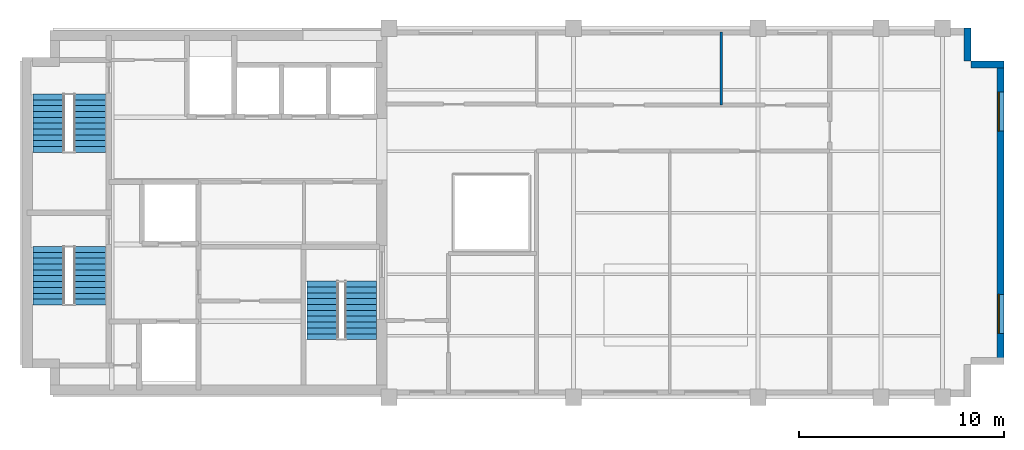
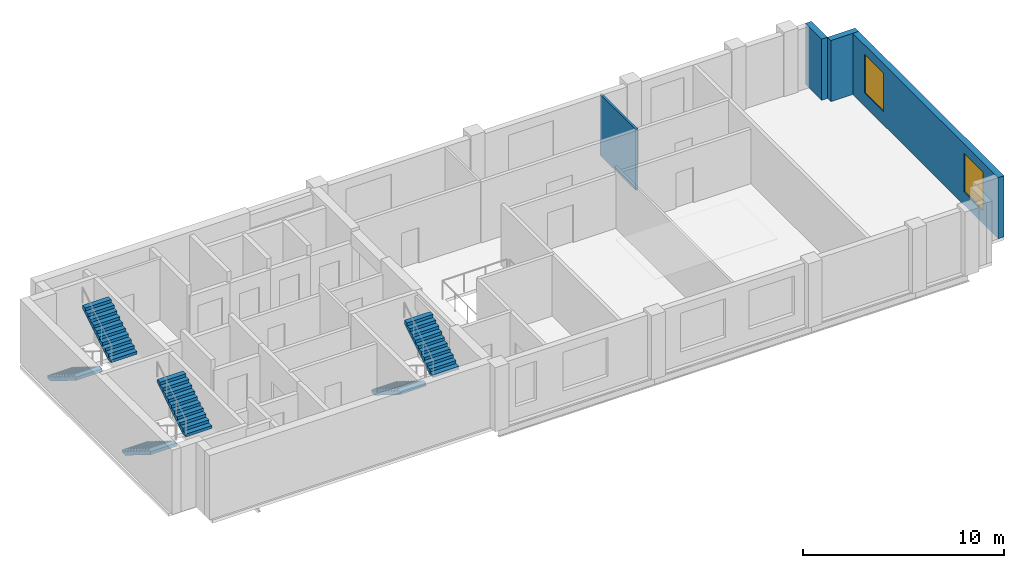
# One storey, part 4 of 5: 6 stair flights, 4 walls, 2 windows, 2 openings, 3 elements without a shape of their own.
"""IFC4 building model written with IfcOpenShell, lengths in metres."""

from ifc_helpers import new_model, si_unit, direction, frame, frame_2d, origin, place, context, subcontext, project, spatial, polyline, rectangle, outline, extrude, material, layer, layer_set, type_object, element, fill, aggregate, save


model = new_model("IFC4")

# Units and contexts
model_context = context("Model", 3, precision=1e-05, world=origin(), true_north=direction((0.0, 1.0)))
body_context = subcontext(model_context, "Body", "Model", "MODEL_VIEW")
ifc_project = project(units=[si_unit("LENGTHUNIT", "METRE"), si_unit("AREAUNIT", "SQUARE_METRE"), si_unit("VOLUMEUNIT", "CUBIC_METRE"), si_unit("PLANEANGLEUNIT", "RADIAN"), si_unit("MASSUNIT", "GRAM", prefix="KILO")], contexts=[model_context])

# Site, building, storey
site_placement = place(None, origin())
site = spatial("IfcSite", under=ifc_project, at=site_placement, CompositionType="ELEMENT")
building_placement = place(site_placement, origin())
building = spatial("IfcBuilding", under=site, at=building_placement, Name="Mawjdan Bourse Tower", CompositionType="ELEMENT")
storey_placement = place(building_placement, frame((0.0, 0.0, 274.199951171875)))
storey = spatial("IfcBuildingStorey", under=building, at=storey_placement, Name="L67", CompositionType="ELEMENT", Elevation=274.199951171875)

# Wall, openings, windows
ifc_material_1 = material(Name="Brick Masonry Buff", Category="masonry")
ifc_layer_1 = layer(ifc_material_1, 0.340087890625)
ifc_layer_set_1 = layer_set([ifc_layer_1], Name="Brick Masonry Buff")
wall_type_1 = type_object("IfcWallType", Name="WL-BRK-SPN-340", PredefinedType="STANDARD", material=ifc_layer_set_1)
wall_1_placement = place(storey_placement, frame((53.830078125, 4.60009765625, 0.0), z_axis=(0.0, 0.0, 1.0), x_axis=(0.0, 1.0, 0.0)))
wall_1 = element("IfcWall", 1, at=wall_1_placement, inside=storey, type_object=wall_type_1, Name="L67 Exterior Brick Wall 4", PredefinedType="STANDARD", context=body_context, shape_type="SweptSolid", body=[
    extrude(rectangle(XDim=14.7998046875, YDim=0.340087890625, at=frame_2d((7.39990234375, 0.0))), origin(), (0.0, 0.0, 1.0), 3.715087890625),
])
opening_1_placement = place(wall_1_placement, frame((1.5166015625, 0.0, 0.800048828125)))
opening_1 = element("IfcOpeningElement", 2, at=opening_1_placement, cuts=wall_1, Name="Opening W-L67-02", PredefinedType="OPENING", context=body_context, shape_type="SweptSolid", body=[
    extrude(rectangle(XDim=1.89990234375, YDim=2.35009765625, at=frame_2d((0.949951171875, 1.175048828125))), frame((0.0, 0.18017578125, 0.0), z_axis=(0.0, -1.0, 0.0), x_axis=(1.0, 0.0, 0.0)), (0.0, 0.0, 1.0), 0.360107421875),
])
opening_2_placement = place(wall_1_placement, frame((11.38330078125, 0.0, 0.800048828125)))
opening_2 = element("IfcOpeningElement", 3, at=opening_2_placement, cuts=wall_1, Name="Opening W-L67-03", PredefinedType="OPENING", context=body_context, shape_type="SweptSolid", body=[
    extrude(rectangle(XDim=1.89990234375, YDim=2.35009765625, at=frame_2d((0.949951171875, 1.175048828125))), frame((0.0, 0.18017578125, 0.0), z_axis=(0.0, -1.0, 0.0), x_axis=(1.0, 0.0, 0.0)), (0.0, 0.0, 1.0), 0.360107421875),
])
ifc_material_2 = material(Name="Solar-Control Clear Double Glazing", Category="glass")
window_type = type_object("IfcWindowType", Name="WN-SMT-1900", PartitioningType="SINGLE_PANEL", PredefinedType="WINDOW", material=ifc_material_2)
window_1_placement = place(opening_1_placement, origin())
window_1 = element("IfcWindow", 4, at=window_1_placement, inside=storey, type_object=window_type, Name="L67 Deep-Set Masonry Window W-L67-02", OverallHeight=2.35009765625, OverallWidth=1.89990234375, PartitioningType="SINGLE_PANEL", PredefinedType="WINDOW", context=body_context, shape_type="SweptSolid", body=[
    extrude(rectangle(XDim=1.89990234375, YDim=2.35009765625, at=frame_2d((0.949951171875, 1.175048828125))), frame((0.0, 0.110107421875, 0.0), z_axis=(0.0, -1.0, 0.0), x_axis=(1.0, 0.0, 0.0)), (0.0, 0.0, 1.0), 0.06005859375),
])
fill(opening_1, window_1)
window_2_placement = place(opening_2_placement, origin())
window_2 = element("IfcWindow", 5, at=window_2_placement, inside=storey, type_object=window_type, Name="L67 Deep-Set Masonry Window W-L67-03", OverallHeight=2.35009765625, OverallWidth=1.89990234375, PartitioningType="SINGLE_PANEL", PredefinedType="WINDOW", context=body_context, shape_type="SweptSolid", body=[
    extrude(rectangle(XDim=1.89990234375, YDim=2.35009765625, at=frame_2d((0.949951171875, 1.175048828125))), frame((0.0, 0.110107421875, 0.0), z_axis=(0.0, -1.0, 0.0), x_axis=(1.0, 0.0, 0.0)), (0.0, 0.0, 1.0), 0.06005859375),
])
fill(opening_2, window_2)

# Walls
for number, where, z_axis, x_axis, name in (
    (6, (54.0, 19.22998046875, 0.0), (0.0, 0.0, 1.0), (-1.0, 0.0, 0.0), "L67 Exterior Brick Wall 5"),
    (7, (52.22998046875, 19.39990234375, 0.0), (0.0, 0.0, 1.0), (0.0, 1.0, 0.0), "L67 Exterior Brick Wall 6"),
):
    element("IfcWall", number, at=place(storey_placement, frame(where, z_axis=z_axis, x_axis=x_axis)), inside=storey, type_object=wall_type_1, Name=name, PredefinedType="STANDARD", context=body_context, shape_type="SweptSolid", body=[
        extrude(rectangle(XDim=1.60009765625, YDim=0.340087890625, at=frame_2d((0.800048828125, 0.0))), origin(), (0.0, 0.0, 1.0), 3.715087890625),
    ])
ifc_material_3 = material(Name="Gypsum Partition")
ifc_layer_2 = layer(ifc_material_3, 0.125)
ifc_layer_set_2 = layer_set([ifc_layer_2], Name="Gypsum Partition")
wall_type_2 = type_object("IfcWallType", Name="WL-PRT-125", PredefinedType="PARTITIONING", material=ifc_layer_set_2)
wall_2_placement = place(storey_placement, frame((40.199951171875, 17.25, 0.0), z_axis=(0.0, 0.0, 1.0), x_axis=(0.0, 1.0, 0.0)))
element("IfcWall", 8, at=wall_2_placement, inside=storey, type_object=wall_type_2, Name="L67 General Counsel Office Partition", PredefinedType="PARTITIONING", context=body_context, shape_type="SweptSolid", body=[
    extrude(rectangle(XDim=3.570068359375, YDim=0.125, at=frame_2d((1.78515625, 0.0))), origin(), (0.0, 0.0, 1.0), 3.705078125),
])

# Stair, stair flights
ifc_material_4 = material(Name="Concrete C50/60", Category="concrete")
stair_type = type_object("IfcStairType", Name="STR-CORE-1500", PredefinedType="HALF_TURN_STAIR", material=ifc_material_4)
stair_1_placement = place(storey_placement, origin())
stair_1 = element("IfcStair", 9, at=stair_1_placement, inside=storey, type_object=stair_type, Name="L67 Exit Stair 1 (Core South-West)", PredefinedType="HALF_TURN_STAIR")
stair_flight_type = type_object("IfcStairFlightType", Name="SFL-RC-1500", PredefinedType="STRAIGHT", material=ifc_material_4)
stair_flight_1_placement = place(storey_placement, frame((7.389892578125, 10.35009765625, 0.0), z_axis=(0.0, 0.0, 1.0), x_axis=(0.0, -1.0, 0.0)))
stair_flight_1 = element("IfcStairFlight", 10, at=stair_flight_1_placement, type_object=stair_flight_type, Name="ST1-L67 flight 1", NumberOfRisers=11, NumberOfTreads=10, PredefinedType="STRAIGHT", RiserHeight=0.177273, TreadLength=0.285, context=body_context, shape_type="SweptSolid", body=[
    extrude(outline(polyline([(0.0, 0.0), (0.0, 0.17724609375), (0.284912109375, 0.17724609375), (0.284912109375, 0.3544921875), (0.570068359375, 0.3544921875), (0.570068359375, 0.53173828125), (0.85498046875, 0.53173828125), (0.85498046875, 0.708984375), (1.139892578125, 0.708984375), (1.139892578125, 0.886474609375), (1.425048828125, 0.886474609375), (1.425048828125, 1.063720703125), (1.7099609375, 1.063720703125), (1.7099609375, 1.240966796875), (1.9951171875, 1.240966796875), (1.9951171875, 1.418212890625), (2.280029296875, 1.418212890625), (2.280029296875, 1.595458984375), (2.56494140625, 1.595458984375), (2.56494140625, 1.772705078125), (2.85009765625, 1.772705078125), (2.85009765625, 1.949951171875), (2.85009765625, 1.58447265625), (0.302734375, 0.0), (0.0, 0.0)])), frame((0.0, 0.75, 0.0), z_axis=(0.0, -1.0, 0.0), x_axis=(1.0, 0.0, 0.0)), (0.0, 0.0, 1.0), 1.5),
])
stair_flight_2_placement = place(storey_placement, frame((9.409912109375, 7.5, 1.949951171875), z_axis=(0.0, 0.0, 1.0), x_axis=(0.0, 1.0, 0.0)))
stair_flight_2 = element("IfcStairFlight", 11, at=stair_flight_2_placement, type_object=stair_flight_type, Name="ST1-L67 flight 2", NumberOfRisers=11, NumberOfTreads=10, PredefinedType="STRAIGHT", RiserHeight=0.177273, TreadLength=0.285, context=body_context, shape_type="SweptSolid", body=[
    extrude(outline(polyline([(0.0, 0.0), (0.0, 0.17724609375), (0.284912109375, 0.17724609375), (0.284912109375, 0.3544921875), (0.570068359375, 0.3544921875), (0.570068359375, 0.53173828125), (0.85498046875, 0.53173828125), (0.85498046875, 0.708984375), (1.139892578125, 0.708984375), (1.139892578125, 0.886474609375), (1.425048828125, 0.886474609375), (1.425048828125, 1.063720703125), (1.7099609375, 1.063720703125), (1.7099609375, 1.240966796875), (1.9951171875, 1.240966796875), (1.9951171875, 1.418212890625), (2.280029296875, 1.418212890625), (2.280029296875, 1.595458984375), (2.56494140625, 1.595458984375), (2.56494140625, 1.772705078125), (2.85009765625, 1.772705078125), (2.85009765625, 1.949951171875), (2.85009765625, 1.58447265625), (0.302734375, 0.0), (0.0, 0.0)])), frame((0.0, 0.75, 0.0), z_axis=(0.0, -1.0, 0.0), x_axis=(1.0, 0.0, 0.0)), (0.0, 0.0, 1.0), 1.5),
])
aggregate(stair_1, [stair_flight_1, stair_flight_2])

stair_2_placement = place(storey_placement, origin())
stair_2 = element("IfcStair", 12, at=stair_2_placement, inside=storey, type_object=stair_type, Name="L67 Exit Stair 2 (Core North-West)", PredefinedType="HALF_TURN_STAIR")
stair_flight_3_placement = place(storey_placement, frame((7.389892578125, 17.7900390625, 0.0), z_axis=(0.0, 0.0, 1.0), x_axis=(0.0, -1.0, 0.0)))
stair_flight_3 = element("IfcStairFlight", 13, at=stair_flight_3_placement, type_object=stair_flight_type, Name="ST2-L67 flight 1", NumberOfRisers=11, NumberOfTreads=10, PredefinedType="STRAIGHT", RiserHeight=0.177273, TreadLength=0.285, context=body_context, shape_type="SweptSolid", body=[
    extrude(outline(polyline([(0.0, 0.0), (0.0, 0.17724609375), (0.284912109375, 0.17724609375), (0.284912109375, 0.3544921875), (0.570068359375, 0.3544921875), (0.570068359375, 0.53173828125), (0.85498046875, 0.53173828125), (0.85498046875, 0.708984375), (1.139892578125, 0.708984375), (1.139892578125, 0.886474609375), (1.425048828125, 0.886474609375), (1.425048828125, 1.063720703125), (1.7099609375, 1.063720703125), (1.7099609375, 1.240966796875), (1.9951171875, 1.240966796875), (1.9951171875, 1.418212890625), (2.280029296875, 1.418212890625), (2.280029296875, 1.595458984375), (2.56494140625, 1.595458984375), (2.56494140625, 1.772705078125), (2.85009765625, 1.772705078125), (2.85009765625, 1.949951171875), (2.85009765625, 1.58447265625), (0.302734375, 0.0), (0.0, 0.0)])), frame((0.0, 0.75, 0.0), z_axis=(0.0, -1.0, 0.0), x_axis=(1.0, 0.0, 0.0)), (0.0, 0.0, 1.0), 1.5),
])
stair_flight_4_placement = place(storey_placement, frame((9.409912109375, 14.93994140625, 1.949951171875), z_axis=(0.0, 0.0, 1.0), x_axis=(0.0, 1.0, 0.0)))
stair_flight_4 = element("IfcStairFlight", 14, at=stair_flight_4_placement, type_object=stair_flight_type, Name="ST2-L67 flight 2", NumberOfRisers=11, NumberOfTreads=10, PredefinedType="STRAIGHT", RiserHeight=0.177273, TreadLength=0.285, context=body_context, shape_type="SweptSolid", body=[
    extrude(outline(polyline([(0.0, 0.0), (0.0, 0.17724609375), (0.284912109375, 0.17724609375), (0.284912109375, 0.3544921875), (0.570068359375, 0.3544921875), (0.570068359375, 0.53173828125), (0.85498046875, 0.53173828125), (0.85498046875, 0.708984375), (1.139892578125, 0.708984375), (1.139892578125, 0.886474609375), (1.425048828125, 0.886474609375), (1.425048828125, 1.063720703125), (1.7099609375, 1.063720703125), (1.7099609375, 1.240966796875), (1.9951171875, 1.240966796875), (1.9951171875, 1.418212890625), (2.280029296875, 1.418212890625), (2.280029296875, 1.595458984375), (2.56494140625, 1.595458984375), (2.56494140625, 1.772705078125), (2.85009765625, 1.772705078125), (2.85009765625, 1.949951171875), (2.85009765625, 1.58447265625), (0.302734375, 0.0), (0.0, 0.0)])), frame((0.0, 0.75, 0.0), z_axis=(0.0, -1.0, 0.0), x_axis=(1.0, 0.0, 0.0)), (0.0, 0.0, 1.0), 1.5),
])
aggregate(stair_2, [stair_flight_3, stair_flight_4])

stair_3_placement = place(storey_placement, origin())
stair_3 = element("IfcStair", 15, at=stair_3_placement, inside=storey, type_object=stair_type, Name="L67 Exit Stair 7 (Core South-East)", PredefinedType="HALF_TURN_STAIR")
stair_flight_5_placement = place(storey_placement, frame((20.739990234375, 8.659912109375, 0.0), z_axis=(0.0, 0.0, 1.0), x_axis=(0.0, -1.0, 0.0)))
stair_flight_5 = element("IfcStairFlight", 16, at=stair_flight_5_placement, type_object=stair_flight_type, Name="ST7-L67 flight 1", NumberOfRisers=11, NumberOfTreads=10, PredefinedType="STRAIGHT", RiserHeight=0.177273, TreadLength=0.285, context=body_context, shape_type="SweptSolid", body=[
    extrude(outline(polyline([(0.0, 0.0), (0.0, 0.17724609375), (0.284912109375, 0.17724609375), (0.284912109375, 0.3544921875), (0.570068359375, 0.3544921875), (0.570068359375, 0.53173828125), (0.85498046875, 0.53173828125), (0.85498046875, 0.708984375), (1.139892578125, 0.708984375), (1.139892578125, 0.886474609375), (1.425048828125, 0.886474609375), (1.425048828125, 1.063720703125), (1.7099609375, 1.063720703125), (1.7099609375, 1.240966796875), (1.9951171875, 1.240966796875), (1.9951171875, 1.418212890625), (2.280029296875, 1.418212890625), (2.280029296875, 1.595458984375), (2.56494140625, 1.595458984375), (2.56494140625, 1.772705078125), (2.85009765625, 1.772705078125), (2.85009765625, 1.949951171875), (2.85009765625, 1.58447265625), (0.302734375, 0.0), (0.0, 0.0)])), frame((0.0, 0.75, 0.0), z_axis=(0.0, -1.0, 0.0), x_axis=(1.0, 0.0, 0.0)), (0.0, 0.0, 1.0), 1.5),
])
stair_flight_6_placement = place(storey_placement, frame((22.6298828125, 5.81005859375, 1.949951171875), z_axis=(0.0, 0.0, 1.0), x_axis=(0.0, 1.0, 0.0)))
stair_flight_6 = element("IfcStairFlight", 17, at=stair_flight_6_placement, type_object=stair_flight_type, Name="ST7-L67 flight 2", NumberOfRisers=11, NumberOfTreads=10, PredefinedType="STRAIGHT", RiserHeight=0.177273, TreadLength=0.285, context=body_context, shape_type="SweptSolid", body=[
    extrude(outline(polyline([(0.0, 0.0), (0.0, 0.17724609375), (0.284912109375, 0.17724609375), (0.284912109375, 0.3544921875), (0.570068359375, 0.3544921875), (0.570068359375, 0.53173828125), (0.85498046875, 0.53173828125), (0.85498046875, 0.708984375), (1.139892578125, 0.708984375), (1.139892578125, 0.886474609375), (1.425048828125, 0.886474609375), (1.425048828125, 1.063720703125), (1.7099609375, 1.063720703125), (1.7099609375, 1.240966796875), (1.9951171875, 1.240966796875), (1.9951171875, 1.418212890625), (2.280029296875, 1.418212890625), (2.280029296875, 1.595458984375), (2.56494140625, 1.595458984375), (2.56494140625, 1.772705078125), (2.85009765625, 1.772705078125), (2.85009765625, 1.949951171875), (2.85009765625, 1.58447265625), (0.302734375, 0.0), (0.0, 0.0)])), frame((0.0, 0.75, 0.0), z_axis=(0.0, -1.0, 0.0), x_axis=(1.0, 0.0, 0.0)), (0.0, 0.0, 1.0), 1.5),
])
aggregate(stair_3, [stair_flight_5, stair_flight_6])

save(model, "model.ifc")
